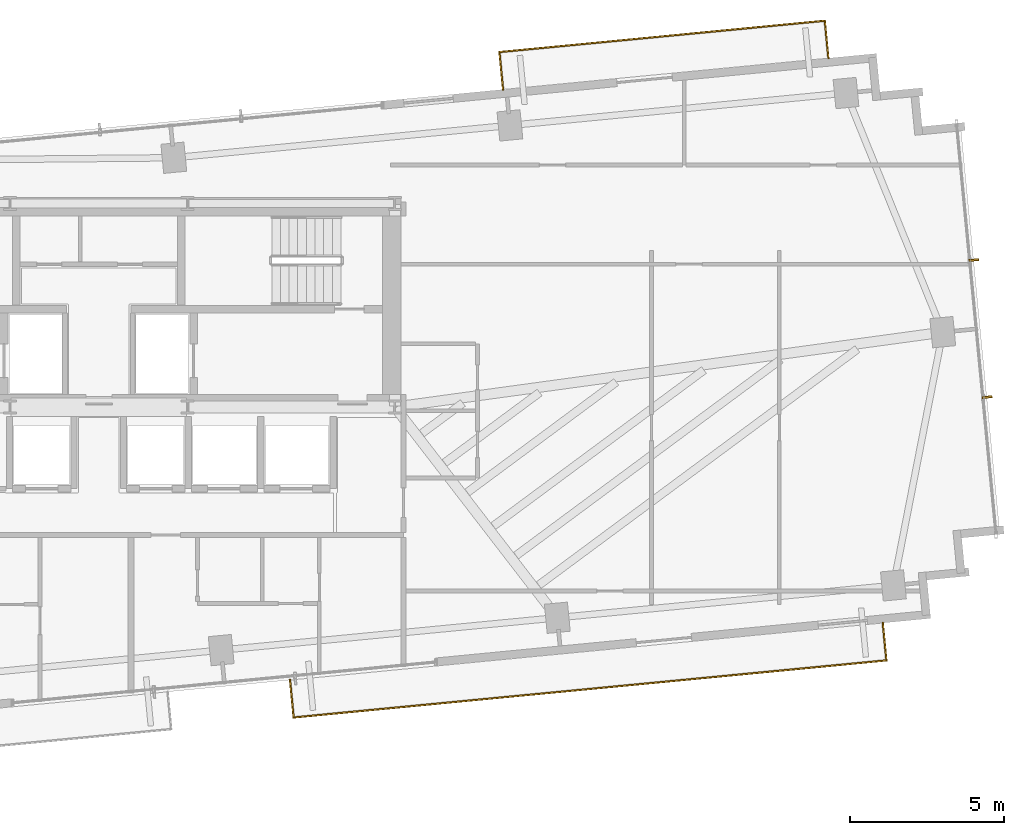
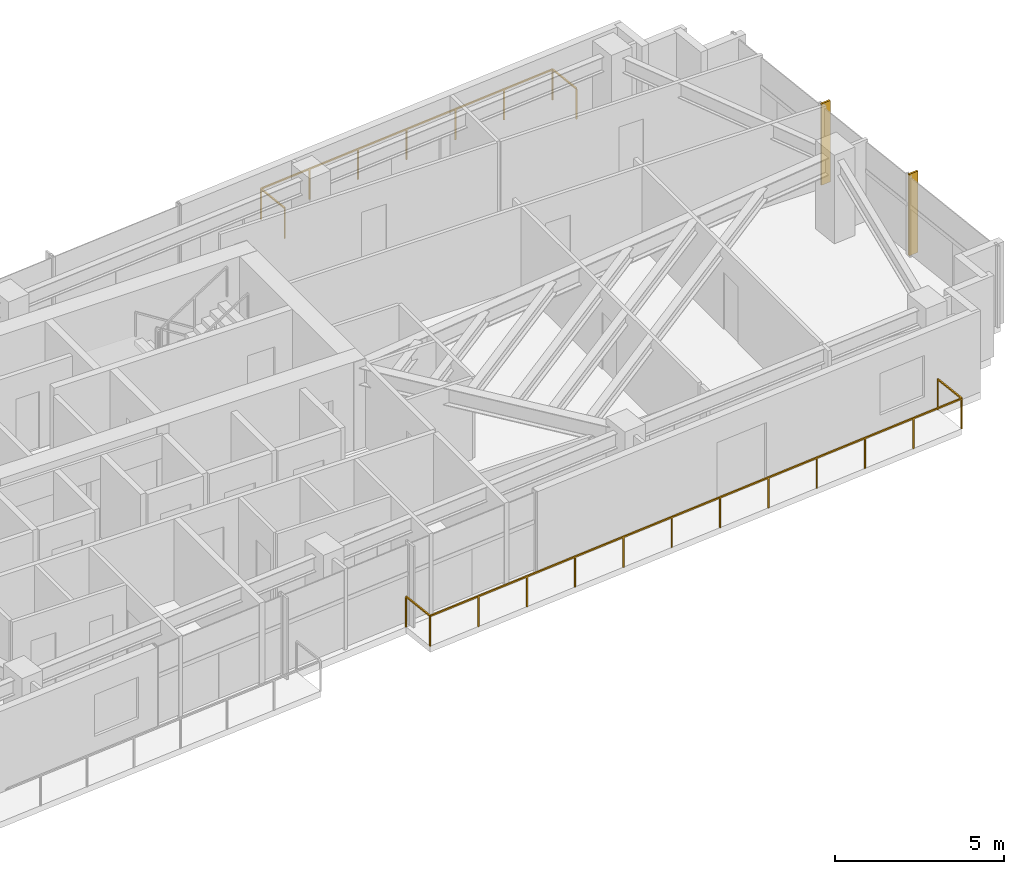
# One storey, part 18 of 18: 2 railings, 2 shading devices.
"""IFC4 building model written with IfcOpenShell, lengths in metres."""

import ifcopenshell
import ifcopenshell.guid

model = None  # the IFC model being written
_history = None  # IfcOwnerHistory: only IFC2X3 demands one
_inside = {}  # id of a spatial element -> (the spatial element, [elements in it])
_under = {}  # id of a project, library or spatial element -> (it, [spatial elements below it])
_declared = {}  # id of a project -> (the project, [libraries it declares])
_typed = {}  # id of a type object -> (the type object, [elements of that type])
_made_of = {}  # id of a material, layer set ... -> (it, [elements and type objects made of it])


def new_model(schema):
    """Start an empty IFC model of exactly this schema.

    Asked for "IFC4X3", IfcOpenShell would pick the latest addendum, in which some entities
    have other attributes; the version numbers below select the first issue.
    IFC2X3 requires an IfcOwnerHistory on every rooted entity: one is made here for all.
    """
    global model, _history
    if schema == "IFC4X3":
        model = ifcopenshell.file(schema_version=(4, 3, 0, 0))
    else:
        model = ifcopenshell.file(schema=schema)
    _inside.clear()
    _under.clear()
    _declared.clear()
    _typed.clear()
    _made_of.clear()
    _history = None
    if model.schema == "IFC2X3":
        org = make("IfcOrganization", Name="unknown")
        user = make(
            "IfcPersonAndOrganization",
            ThePerson=make("IfcPerson", FamilyName="unknown"),
            TheOrganization=org,
        )
        app = make(
            "IfcApplication",
            ApplicationDeveloper=org,
            Version="unknown",
            ApplicationFullName="unknown",
            ApplicationIdentifier="unknown",
        )
        _history = make(
            "IfcOwnerHistory",
            OwningUser=user,
            OwningApplication=app,
            ChangeAction="ADDED",
            CreationDate=0,
        )
    return model


def make(cls, **values):
    """One entity of the class cls with the attributes given. An attribute that is None is left unset."""
    return model.create_entity(
        cls, **{name: value for name, value in values.items() if value is not None}
    )


def rooted(cls, **values):
    """An entity with a GlobalId (a new one), such as an element, a storey or a relation."""
    return make(cls, GlobalId=ifcopenshell.guid.new(), OwnerHistory=_history, **values)


def si_unit(unit_type, name, prefix=None):
    """IfcSIUnit, for example si_unit("LENGTHUNIT", "METRE", prefix="MILLI")."""
    return make("IfcSIUnit", UnitType=unit_type, Prefix=prefix, Name=name)


def assignment(units):
    """IfcUnitAssignment: the units of a project."""
    return None if units is None else make("IfcUnitAssignment", Units=units)


def point(xyz):
    """IfcCartesianPoint."""
    return None if xyz is None else make("IfcCartesianPoint", Coordinates=xyz)


def direction(xyz):
    """IfcDirection."""
    return None if xyz is None else make("IfcDirection", DirectionRatios=xyz)


def frame(location, z_axis=None, x_axis=None):
    """IfcAxis2Placement3D, a coordinate frame: its origin and axes. An axis left out is left unset."""
    return make(
        "IfcAxis2Placement3D",
        Location=point(location),
        Axis=direction(z_axis),
        RefDirection=direction(x_axis),
    )


def frame_2d(location, x_axis=None):
    """IfcAxis2Placement2D, a coordinate frame in the plane: its origin and x axis."""
    return make(
        "IfcAxis2Placement2D", Location=point(location), RefDirection=direction(x_axis)
    )


def origin():
    """The frame at (0, 0, 0) with its axes left unset."""
    return frame((0.0, 0.0, 0.0))


def origin_2d():
    """The frame at (0, 0) in the plane with its x axis left unset."""
    return frame_2d((0.0, 0.0))


def place(relative_to, where):
    """IfcLocalPlacement: puts the frame where relative to a parent placement (None: the world)."""
    return make(
        "IfcLocalPlacement", PlacementRelTo=relative_to, RelativePlacement=where
    )


def context(
    kind, dimensions, precision=None, world=None, true_north=None, identifier=None
):
    """IfcGeometricRepresentationContext, for example the 3D "Model" context."""
    return make(
        "IfcGeometricRepresentationContext",
        ContextIdentifier=identifier,
        ContextType=kind,
        CoordinateSpaceDimension=dimensions,
        Precision=precision,
        WorldCoordinateSystem=world,
        TrueNorth=true_north,
    )


def subcontext(parent, identifier, kind, view, scale=None):
    """IfcGeometricRepresentationSubContext, for example "Body" below "Model"."""
    return make(
        "IfcGeometricRepresentationSubContext",
        ContextIdentifier=identifier,
        ContextType=kind,
        ParentContext=parent,
        TargetScale=scale,
        TargetView=view,
    )


def project(units=None, contexts=None):
    """IfcProject with its units and contexts."""
    return rooted(
        "IfcProject",
        Name="project",
        RepresentationContexts=contexts,
        UnitsInContext=assignment(units),
    )


def spatial(cls, under=None, at=None, **own):
    """A site, building, storey or space (cls), placed at a placement, below another one or the project."""
    s = rooted(cls, ObjectPlacement=at, **own)
    if under is not None:
        _under.setdefault(under.id(), (under, []))[1].append(s)
    return s


def profile(cls, at=None, kind="AREA", **sizes):
    """A parametric profile (cls). Its sizes go by their IFC names, for example OverallWidth=200.0."""
    return make(cls, ProfileType=kind, Position=at, **sizes)


def rectangle(**sizes):
    """IfcRectangleProfileDef."""
    return profile("IfcRectangleProfileDef", **sizes)


def extrude(swept, where, along, depth):
    """IfcExtrudedAreaSolid: the profile swept, set in the frame where, extruded along a direction by depth."""
    return make(
        "IfcExtrudedAreaSolid",
        SweptArea=swept,
        Position=where,
        ExtrudedDirection=direction(along),
        Depth=depth,
    )


def shape(context_of_items, identifier, shape_type, items):
    """IfcShapeRepresentation: the items that make up one representation, for example the "Body"."""
    return make(
        "IfcShapeRepresentation",
        ContextOfItems=context_of_items,
        RepresentationIdentifier=identifier,
        RepresentationType=shape_type,
        Items=items,
    )


def source(mapping_origin, context_of_items, identifier, shape_type, items):
    """IfcRepresentationMap: a shape defined once, which mapped items show again and again."""
    return make(
        "IfcRepresentationMap",
        MappingOrigin=mapping_origin,
        MappedRepresentation=shape(context_of_items, identifier, shape_type, items),
    )


def transform(
    local_origin,
    x_axis=None,
    y_axis=None,
    z_axis=None,
    scale=None,
    scale2=None,
    scale3=None,
    uniform=True,
):
    """IfcCartesianTransformationOperator3D, or its non-uniform kind. x_axis, y_axis, z_axis: its Axis1, 2, 3."""
    if uniform:
        return make(
            "IfcCartesianTransformationOperator3D",
            Axis1=direction(x_axis),
            Axis2=direction(y_axis),
            LocalOrigin=point(local_origin),
            Scale=scale,
            Axis3=direction(z_axis),
        )
    return make(
        "IfcCartesianTransformationOperator3DnonUniform",
        Axis1=direction(x_axis),
        Axis2=direction(y_axis),
        LocalOrigin=point(local_origin),
        Scale=scale,
        Axis3=direction(z_axis),
        Scale2=scale2,
        Scale3=scale3,
    )


def mapped(mapping_source, mapping_target):
    """IfcMappedItem: shows the shape of a source again, moved by a transform."""
    return make(
        "IfcMappedItem", MappingSource=mapping_source, MappingTarget=mapping_target
    )


def material(Name=None, Category=None):
    """IfcMaterial."""
    return make("IfcMaterial", Name=Name, Category=Category)


def made_of(thing, what):
    """Note that an element or type object is made of a material, layer set ...; save() writes the relation."""
    if what is not None:
        _made_of.setdefault(what.id(), (what, []))[1].append(thing)
    return thing


def type_object(cls, material=None, **own):
    """A type object (cls), such as IfcWallType, which elements share."""
    return made_of(rooted(cls, **own), material)


def type_shapes(of_type, sources):
    """Give a type object the sources (RepresentationMaps) that its elements show as mapped items."""
    of_type.RepresentationMaps = sources


def element(
    cls,
    number,
    at=None,
    inside=None,
    cuts=None,
    type_object=None,
    material=None,
    context=None,
    identifier="Body",
    shape_type=None,
    held_by="IfcProductDefinitionShape",
    body=None,
    shapes=None,
    **own,
):
    """One element of the class cls, such as IfcWall. Its Tag is "e" and its number.

    at: its placement. inside: the storey or other place that contains it. cuts: it is an
    opening in that element (IfcRelVoidsElement). A single representation is given by context,
    identifier, shape_type and body (its items); several are given by shapes. held_by: the class
    of the entity that holds the representations. save() writes the other relations.
    """
    e = rooted(cls, Tag="e%d" % number, ObjectPlacement=at, **own)
    if body is not None:
        shapes = [shape(context, identifier, shape_type, body)]
    if shapes is not None:
        e.Representation = make(held_by, Representations=shapes)
    if inside is not None:
        _inside.setdefault(inside.id(), (inside, []))[1].append(e)
    if cuts is not None:
        rooted(
            "IfcRelVoidsElement", RelatingBuildingElement=cuts, RelatedOpeningElement=e
        )
    if type_object is not None:
        _typed.setdefault(type_object.id(), (type_object, []))[1].append(e)
    return made_of(e, material)


def aggregate(whole, parts):
    """IfcRelAggregates: a whole, such as a stair, and the parts it consists of."""
    return rooted("IfcRelAggregates", RelatingObject=whole, RelatedObjects=parts)


def save(model, path):
    """Write the relations noted so far, then the file.

    IfcRelAggregates (storeys below a building ...), IfcRelContainedInSpatialStructure (elements
    in a storey), IfcRelDefinesByType, IfcRelAssociatesMaterial and IfcRelDeclares: one each for
    every whole, place, type object, material and project.
    """
    for whole, parts in _under.values():
        aggregate(whole, parts)
    for where, things in _inside.values():
        rooted(
            "IfcRelContainedInSpatialStructure",
            RelatedElements=things,
            RelatingStructure=where,
        )
    for kind, things in _typed.values():
        rooted("IfcRelDefinesByType", RelatedObjects=things, RelatingType=kind)
    for what, things in _made_of.values():
        rooted("IfcRelAssociatesMaterial", RelatedObjects=things, RelatingMaterial=what)
    for by, libraries in _declared.values():
        rooted("IfcRelDeclares", RelatingContext=by, RelatedDefinitions=libraries)
    model.write(path)


model = new_model("IFC4")

# Units and contexts
model_context = context("Model", 3, precision=1e-05, world=origin(), true_north=direction((0.0, 1.0)))
body_context = subcontext(model_context, "Body", "Model", "MODEL_VIEW")
ifc_project = project(units=[si_unit("LENGTHUNIT", "METRE"), si_unit("AREAUNIT", "SQUARE_METRE"), si_unit("VOLUMEUNIT", "CUBIC_METRE"), si_unit("PLANEANGLEUNIT", "RADIAN"), si_unit("MASSUNIT", "GRAM", prefix="KILO")], contexts=[model_context])

# Site, building, storey
site_placement = place(None, origin())
site = spatial("IfcSite", under=ifc_project, at=site_placement, CompositionType="ELEMENT")
building_placement = place(site_placement, origin())
building = spatial("IfcBuilding", under=site, at=building_placement, Name="Astriad Promenade Condominiums", CompositionType="ELEMENT")
storey_placement = place(building_placement, frame((0.0, 0.0, 182.60009765625)))
storey = spatial("IfcBuildingStorey", under=building, at=storey_placement, Name="L52", CompositionType="ELEMENT", Elevation=182.60009765625)

# Shading devices
ifc_material_1 = material(Name="Anodised aluminium 6063-T6 Black Fin", Category="aluminium")
shading_device_type = type_object("IfcShadingDeviceType", Name="FIN-BLACK-260", PredefinedType="USERDEFINED", material=ifc_material_1)
shared_shape_1 = source(origin(), body_context, "Body", "SweptSolid", [
    extrude(rectangle(XDim=0.06494140625, YDim=0.320068359375, at=origin_2d()), origin(), (0.0, 0.0, 1.0), 2.93994140625),
])
type_shapes(shading_device_type, [shared_shape_1])
for number, where, z_axis, x_axis, name in (
    (1, (64.37841796875, 22.16796875, 0.0), (0.0, 0.0, 1.0), (0.09584575252, -0.995396198367, 0.0), "CW-L52-E-FIN-01"),
    (2, (64.806640625, 17.721923828125, 0.0), (0.0, 0.0, 1.0), (0.09584575252, -0.995396198367, 0.0), "CW-L52-E-FIN-02"),
):
    element("IfcShadingDevice", number, at=place(storey_placement, frame(where, z_axis=z_axis, x_axis=x_axis)), inside=storey, type_object=shading_device_type, Name=name, ObjectType="FIN", PredefinedType="USERDEFINED", context=body_context, shape_type="MappedRepresentation", body=[
        mapped(shared_shape_1, transform((0.0, 0.0, 0.0), scale=1.0)),
    ])

# Railings
ifc_material_2 = material(Name="Laminated Glass and Stainless Steel Balustrade", Category="steel")
railing_type = type_object("IfcRailingType", Name="GRD-BALC-1120", PredefinedType="BALUSTRADE", material=ifc_material_2)
shared_shape_2 = source(origin(), body_context, "Body", "SweptSolid", [
    extrude(rectangle(XDim=0.048095703125, YDim=0.048095703125, at=origin_2d()), frame((0.0, 0.0, 1.09619140625), z_axis=(0.0958382164, -0.995396923984, 0.0), x_axis=(0.995396923984, 0.0958382164, 0.0)), (0.0, 0.0, 1.0), 1.22021484375),
    extrude(rectangle(XDim=0.048095703125, YDim=0.048095703125, at=origin_2d()), frame((0.116943359375, -1.214599609375, 1.09619140625), z_axis=(0.995395724454, 0.09585067417, 0.0), x_axis=(-0.09585067417, 0.995395724454, 0.0)), (0.0, 0.0, 1.0), 19.31201171875),
    extrude(rectangle(XDim=0.048095703125, YDim=0.048095703125, at=origin_2d()), frame((19.340087890625, 0.636474609375, 1.09619140625), z_axis=(-0.095857307208, 0.99539508571, 0.0), x_axis=(-0.99539508571, -0.095857307208, 0.0)), (0.0, 0.0, 1.0), 1.219970703125),
    extrude(rectangle(XDim=0.0419921875, YDim=0.0419921875, at=origin_2d()), origin(), (0.0, 0.0, 1.0), 1.072021484375),
    extrude(rectangle(XDim=0.0419921875, YDim=0.0419921875, at=origin_2d()), frame((0.116943359375, -1.214599609375, 0.0)), (0.0, 0.0, 1.0), 1.072021484375),
    extrude(rectangle(XDim=0.0419921875, YDim=0.0419921875, at=origin_2d()), frame((1.864501953125, -1.04638671875, 0.0)), (0.0, 0.0, 1.0), 1.072021484375),
    extrude(rectangle(XDim=0.0419921875, YDim=0.0419921875, at=origin_2d()), frame((3.612060546875, -0.8779296875, 0.0)), (0.0, 0.0, 1.0), 1.072021484375),
    extrude(rectangle(XDim=0.0419921875, YDim=0.0419921875, at=origin_2d()), frame((5.359619140625, -0.709716796875, 0.0)), (0.0, 0.0, 1.0), 1.072021484375),
    extrude(rectangle(XDim=0.0419921875, YDim=0.0419921875, at=origin_2d()), frame((7.107177734375, -0.54150390625, 0.0)), (0.0, 0.0, 1.0), 1.072021484375),
    extrude(rectangle(XDim=0.0419921875, YDim=0.0419921875, at=origin_2d()), frame((8.854736328125, -0.373291015625, 0.0)), (0.0, 0.0, 1.0), 1.072021484375),
    extrude(rectangle(XDim=0.0419921875, YDim=0.0419921875, at=origin_2d()), frame((10.602294921875, -0.204833984375, 0.0)), (0.0, 0.0, 1.0), 1.072021484375),
    extrude(rectangle(XDim=0.0419921875, YDim=0.0419921875, at=origin_2d()), frame((12.349853515625, -0.03662109375, 0.0)), (0.0, 0.0, 1.0), 1.072021484375),
    extrude(rectangle(XDim=0.0419921875, YDim=0.0419921875, at=origin_2d()), frame((14.097412109375, 0.131591796875, 0.0)), (0.0, 0.0, 1.0), 1.072021484375),
    extrude(rectangle(XDim=0.0419921875, YDim=0.0419921875, at=origin_2d()), frame((15.844970703125, 0.2998046875, 0.0)), (0.0, 0.0, 1.0), 1.072021484375),
    extrude(rectangle(XDim=0.0419921875, YDim=0.0419921875, at=origin_2d()), frame((17.592529296875, 0.46826171875, 0.0)), (0.0, 0.0, 1.0), 1.072021484375),
    extrude(rectangle(XDim=0.0419921875, YDim=0.0419921875, at=origin_2d()), frame((19.340087890625, 0.636474609375, 0.0)), (0.0, 0.0, 1.0), 1.072021484375),
    extrude(rectangle(XDim=0.0419921875, YDim=0.0419921875, at=origin_2d()), frame((19.22314453125, 1.850830078125, 0.0)), (0.0, 0.0, 1.0), 1.072021484375),
])
railing_1_placement = place(storey_placement, frame((42.199951171875, 8.54638671875, 0.0)))
element("IfcRailing", 3, at=railing_1_placement, inside=storey, type_object=railing_type, Name="GRD-BALC-L52-SE", PredefinedType="BALUSTRADE", context=body_context, shape_type="MappedRepresentation", body=[
    mapped(shared_shape_2, transform((0.0, 0.0, 0.0), scale=1.0)),
])
shared_shape_3 = source(origin(), body_context, "Body", "SweptSolid", [
    extrude(rectangle(XDim=0.048095703125, YDim=0.048095703125, at=origin_2d()), frame((0.0, 0.0, 1.09619140625), z_axis=(-0.095857307208, 0.99539508571, 0.0), x_axis=(-0.99539508571, -0.095857307208, 0.0)), (0.0, 0.0, 1.0), 1.219970703125),
    extrude(rectangle(XDim=0.048095703125, YDim=0.048095703125, at=origin_2d()), frame((-0.116943359375, 1.21435546875, 1.09619140625), z_axis=(-0.995394712355, -0.09586118409, 0.0), x_axis=(0.09586118409, -0.995394712355, 0.0)), (0.0, 0.0, 1.0), 10.599853515625),
    extrude(rectangle(XDim=0.048095703125, YDim=0.048095703125, at=origin_2d()), frame((-10.66796875, 0.1982421875, 1.09619140625), z_axis=(0.095857307208, -0.99539508571, 0.0), x_axis=(0.99539508571, 0.095857307208, 0.0)), (0.0, 0.0, 1.0), 1.219970703125),
    extrude(rectangle(XDim=0.0419921875, YDim=0.0419921875, at=origin_2d()), origin(), (0.0, 0.0, 1.0), 1.072021484375),
    extrude(rectangle(XDim=0.0419921875, YDim=0.0419921875, at=origin_2d()), frame((-0.116943359375, 1.21435546875, 0.0)), (0.0, 0.0, 1.0), 1.072021484375),
    extrude(rectangle(XDim=0.0419921875, YDim=0.0419921875, at=origin_2d()), frame((-1.87548828125, 1.044921875, 0.0)), (0.0, 0.0, 1.0), 1.072021484375),
    extrude(rectangle(XDim=0.0419921875, YDim=0.0419921875, at=origin_2d()), frame((-3.634033203125, 0.875732421875, 0.0)), (0.0, 0.0, 1.0), 1.072021484375),
    extrude(rectangle(XDim=0.0419921875, YDim=0.0419921875, at=origin_2d()), frame((-5.392578125, 0.706298828125, 0.0)), (0.0, 0.0, 1.0), 1.072021484375),
    extrude(rectangle(XDim=0.0419921875, YDim=0.0419921875, at=origin_2d()), frame((-7.15087890625, 0.536865234375, 0.0)), (0.0, 0.0, 1.0), 1.072021484375),
    extrude(rectangle(XDim=0.0419921875, YDim=0.0419921875, at=origin_2d()), frame((-8.909423828125, 0.36767578125, 0.0)), (0.0, 0.0, 1.0), 1.072021484375),
    extrude(rectangle(XDim=0.0419921875, YDim=0.0419921875, at=origin_2d()), frame((-10.66796875, 0.1982421875, 0.0)), (0.0, 0.0, 1.0), 1.072021484375),
    extrude(rectangle(XDim=0.0419921875, YDim=0.0419921875, at=origin_2d()), frame((-10.551025390625, -1.01611328125, 0.0)), (0.0, 0.0, 1.0), 1.072021484375),
])
type_shapes(railing_type, [shared_shape_2, shared_shape_3])
railing_2_placement = place(storey_placement, frame((59.659423828125, 28.712646484375, 0.0)))
element("IfcRailing", 4, at=railing_2_placement, inside=storey, type_object=railing_type, Name="GRD-BALC-L52-NE", PredefinedType="BALUSTRADE", context=body_context, shape_type="MappedRepresentation", body=[
    mapped(shared_shape_3, transform((0.0, 0.0, 0.0), scale=1.0)),
])

save(model, "model.ifc")
